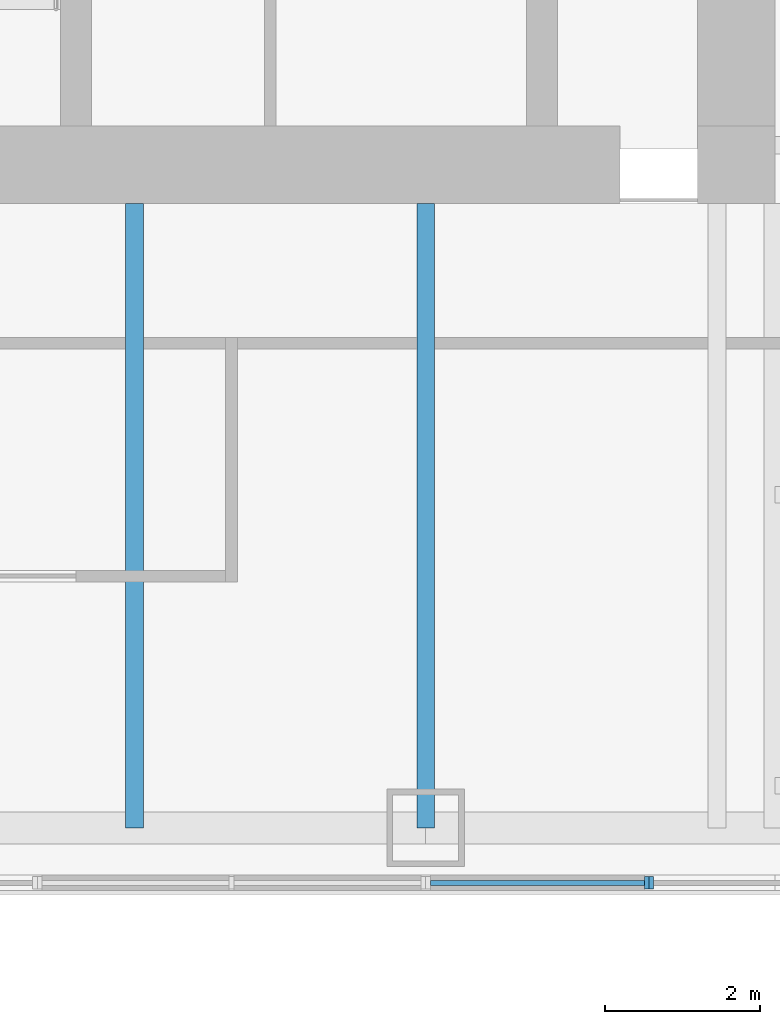
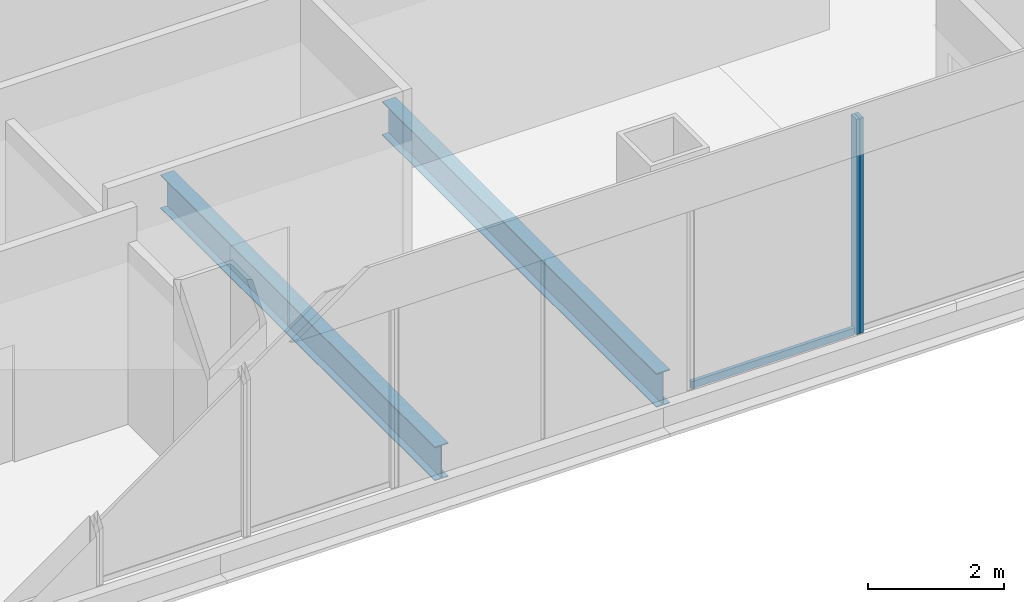
# One storey, part 3 of 14: 3 members, 2 beams, 2 elements without a shape of their own.
"""IFC4 building model written with IfcOpenShell, lengths in metres."""

from ifc_helpers import new_model, si_unit, direction, frame, origin, origin_2d, place, context, subcontext, project, spatial, rectangle, i_section, extrude, material, material_profile, profile_set, type_object, element, aggregate, save


model = new_model("IFC4")

# Units and contexts
model_context = context("Model", 3, precision=1e-05, world=origin(), true_north=direction((0.0, 1.0)))
body_context = subcontext(model_context, "Body", "Model", "MODEL_VIEW")
ifc_project = project(units=[si_unit("LENGTHUNIT", "METRE"), si_unit("AREAUNIT", "SQUARE_METRE"), si_unit("VOLUMEUNIT", "CUBIC_METRE"), si_unit("PLANEANGLEUNIT", "RADIAN"), si_unit("MASSUNIT", "GRAM", prefix="KILO")], contexts=[model_context])

# Site, building, storey
site_placement = place(None, origin())
site = spatial("IfcSite", under=ifc_project, at=site_placement, CompositionType="ELEMENT")
building_placement = place(site_placement, origin())
building = spatial("IfcBuilding", under=site, at=building_placement, Name="Tarangal Relay Tower", CompositionType="ELEMENT")
storey_placement = place(building_placement, frame((0.0, 0.0, 271.89990234375)))
storey = spatial("IfcBuildingStorey", under=building, at=storey_placement, Name="L59", CompositionType="ELEMENT", Elevation=271.89990234375)

# Beams
ifc_material_1 = material(Name="Steel ASTM A992", Category="steel")
ifc_material_profile_1 = material_profile(ifc_material_1, i_section(OverallWidth=0.228271484375, OverallDepth=0.607177734375, WebThickness=0.01123046875, FlangeThickness=0.017333984375, at=origin_2d()), Name="W24X76")
ifc_profile_set_1 = profile_set([ifc_material_profile_1], Name="Steel ASTM A992")
beam_type = type_object("IfcBeamType", Name="Floor beam W24X76", PredefinedType="BEAM", material=ifc_profile_set_1)
for number, where, z_axis, x_axis, name in (
    (1, (7.5, -12.0, -0.453369140625), (0.0, -1.0, 0.0), (1.0, 0.0, 0.0), "Floor beam RB5 S L59"),
    (2, (3.75, -12.0, -0.453369140625), (0.0, -1.0, 0.0), (1.0, 0.0, 0.0), "Floor beam RB5 S L59"),
):
    element("IfcBeam", number, at=place(storey_placement, frame(where, z_axis=z_axis, x_axis=x_axis)), inside=storey, type_object=beam_type, Name=name, PredefinedType="BEAM", context=body_context, shape_type="SweptSolid", body=[
        extrude(i_section(OverallWidth=0.228271484375, OverallDepth=0.607177734375, WebThickness=0.01123046875, FlangeThickness=0.017333984375, at=origin_2d()), origin(), (0.0, 0.0, 1.0), 8.0400390625),
    ])

# Curtain wall, member
ifc_material_2 = material(Name="Unitised curtain wall, dark glass and black aluminium", Category="aluminium")
curtain_wall_type_1 = type_object("IfcCurtainWallType", Name="Curtain wall CW-B", PredefinedType="USERDEFINED", material=ifc_material_2)
curtain_wall_1_placement = place(storey_placement, origin())
curtain_wall_1 = element("IfcCurtainWall", 3, at=curtain_wall_1_placement, inside=storey, type_object=curtain_wall_type_1, Name="Curtain wall CW-B S facade L59", ObjectType="UNITISED CURTAIN WALL", PredefinedType="USERDEFINED")
ifc_material_3 = material(Name="Black anodised aluminium mullion", Category="aluminium")
ifc_material_profile_2 = material_profile(ifc_material_3, rectangle(XDim=0.159912109375, YDim=0.06005859375, at=origin_2d()), Name="CW-BM 60X160")
ifc_profile_set_2 = profile_set([ifc_material_profile_2], Name="Black anodised aluminium mullion")
member_type_1 = type_object("IfcMemberType", Name="Mullion CW-B 60 x 160", PredefinedType="MULLION", material=ifc_profile_set_2)
member_1_placement = place(storey_placement, frame((10.405029296875, -20.75, 0.0), z_axis=(0.0, 0.0, 1.0), x_axis=(0.0, -1.0, 0.0)))
member_1 = element("IfcMember", 4, at=member_1_placement, type_object=member_type_1, Name="CW-B mullion 2", PredefinedType="MULLION", context=body_context, shape_type="SweptSolid", body=[
    extrude(rectangle(XDim=0.159912109375, YDim=0.06005859375, at=origin_2d()), origin(), (0.0, 0.0, 1.0), 3.85009765625),
])
aggregate(curtain_wall_1, [member_1])

# Curtain wall, members
ifc_material_4 = material(Name="Unitised curtain wall frame, black aluminium, with metal clad infill walls", Category="aluminium")
curtain_wall_type_2 = type_object("IfcCurtainWallType", Name="Curtain wall CW-BO", PredefinedType="USERDEFINED", material=ifc_material_4)
curtain_wall_2_placement = place(storey_placement, origin())
curtain_wall_2 = element("IfcCurtainWall", 5, at=curtain_wall_2_placement, inside=storey, type_object=curtain_wall_type_2, Name="Curtain wall CW-BO S facade L59", ObjectType="UNITISED CURTAIN WALL", PredefinedType="USERDEFINED")
ifc_material_profile_3 = material_profile(ifc_material_3, rectangle(XDim=0.159912109375, YDim=0.06005859375, at=origin_2d()), Name="CW-BOM 60X160")
ifc_profile_set_3 = profile_set([ifc_material_profile_3], Name="Black anodised aluminium mullion")
member_type_2 = type_object("IfcMemberType", Name="Mullion CW-BO 60 x 160", PredefinedType="MULLION", material=ifc_profile_set_3)
member_2_placement = place(storey_placement, frame((10.344970703125, -20.75, 0.0), z_axis=(0.0, 0.0, 1.0), x_axis=(0.0, -1.0, 0.0)))
member_2 = element("IfcMember", 6, at=member_2_placement, type_object=member_type_2, Name="CW-BO mullion 1", PredefinedType="MULLION", context=body_context, shape_type="SweptSolid", body=[
    extrude(rectangle(XDim=0.159912109375, YDim=0.06005859375, at=origin_2d()), origin(), (0.0, 0.0, 1.0), 3.85009765625),
])
ifc_material_5 = material(Name="Black anodised aluminium transom", Category="aluminium")
ifc_material_profile_4 = material_profile(ifc_material_5, rectangle(XDim=0.06005859375, YDim=0.1298828125, at=origin_2d()), Name="CW-BOT 60X130")
ifc_profile_set_4 = profile_set([ifc_material_profile_4], Name="Black anodised aluminium transom")
member_type_3 = type_object("IfcMemberType", Name="Transom CW-BO 60 x 130", PredefinedType="USERDEFINED", material=ifc_profile_set_4)
member_3_placement = place(storey_placement, frame((10.31494140625, -20.75, 0.030029296875), z_axis=(-1.0, 0.0, 0.0), x_axis=(0.0, -1.0, 0.0)))
member_3 = element("IfcMember", 7, at=member_3_placement, type_object=member_type_3, Name="CW-BO transom 1.1", ObjectType="TRANSOM", PredefinedType="USERDEFINED", context=body_context, shape_type="SweptSolid", body=[
    extrude(rectangle(XDim=0.06005859375, YDim=0.1298828125, at=origin_2d()), origin(), (0.0, 0.0, 1.0), 2.7548828125),
])
aggregate(curtain_wall_2, [member_2, member_3])

save(model, "model.ifc")
